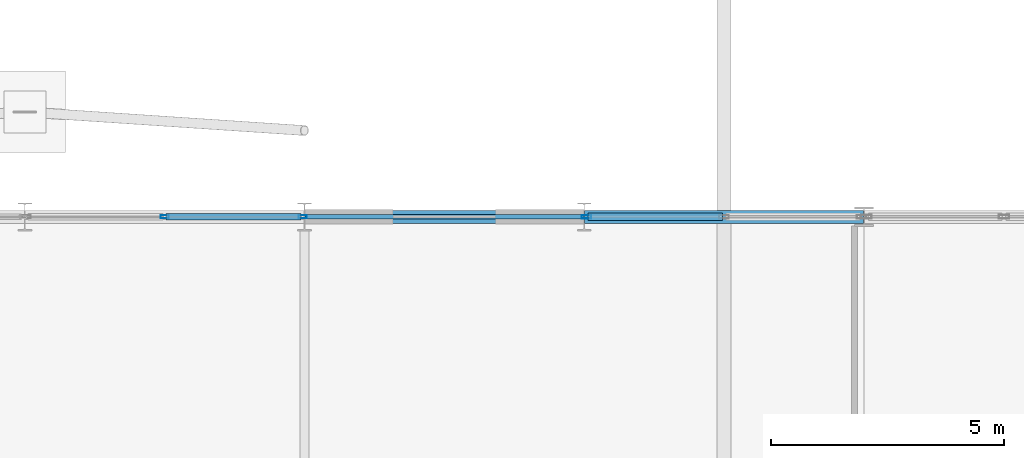
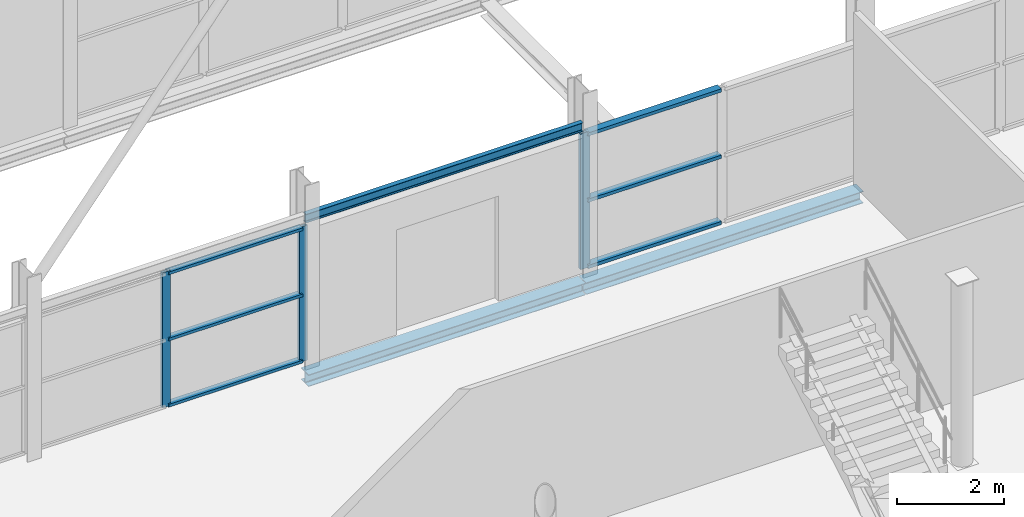
# One storey, part 42 of 140: 9 members, 3 beams, 2 elements without a shape of their own.
"""IFC4 building model written with IfcOpenShell, lengths in metres."""

from ifc_helpers import new_model, si_unit, direction, frame, origin, origin_2d, place, context, subcontext, project, spatial, hollow_rectangle, i_section, extrude, material, layer, layer_set, material_profile, profile_set, type_object, element, aggregate, save


model = new_model("IFC4")

# Units and contexts
model_context = context("Model", 3, precision=1e-05, world=origin(), true_north=direction((0.0, 1.0)))
body_context = subcontext(model_context, "Body", "Model", "MODEL_VIEW")
ifc_project = project(units=[si_unit("LENGTHUNIT", "METRE"), si_unit("AREAUNIT", "SQUARE_METRE"), si_unit("VOLUMEUNIT", "CUBIC_METRE"), si_unit("PLANEANGLEUNIT", "RADIAN"), si_unit("MASSUNIT", "GRAM", prefix="KILO")], contexts=[model_context])

# Site, building, storey
site_placement = place(None, origin())
site = spatial("IfcSite", under=ifc_project, at=site_placement, CompositionType="ELEMENT")
building_placement = place(site_placement, origin())
building = spatial("IfcBuilding", under=site, at=building_placement, Name="Deido Ridge Mobility Hub", CompositionType="ELEMENT")
storey_placement = place(building_placement, origin())
storey = spatial("IfcBuildingStorey", under=building, at=storey_placement, Name="L00", CompositionType="ELEMENT", Elevation=0.0)

# Beam
ifc_material_1 = material(Name="Steel S355J2 EN 10025-2", Category="steel")
ifc_material_profile_1 = material_profile(ifc_material_1, i_section(OverallWidth=0.10009765625, OverallDepth=0.199951171875, WebThickness=0.005615234375, FlangeThickness=0.008544921875, FilletRadius=0.011962890625, at=origin_2d()), Name="IPE 200")
ifc_profile_set_1 = profile_set([ifc_material_profile_1], Name="Steel S355J2 EN 10025-2")
beam_type_1 = type_object("IfcBeamType", Name="LNT-IPE200", PredefinedType="LINTEL", material=ifc_profile_set_1)
beam_1_placement = place(storey_placement, frame((18.0078125, 36.0, 3.25), z_axis=(1.0, 0.0, 0.0), x_axis=(0.0, 1.0, 0.0)))
element("IfcBeam", 1, at=beam_1_placement, inside=storey, type_object=beam_type_1, Name="Opening lintel LN2", PredefinedType="LINTEL", context=body_context, shape_type="SweptSolid", body=[
    extrude(i_section(OverallWidth=0.10009765625, OverallDepth=0.199951171875, WebThickness=0.005615234375, FlangeThickness=0.008544921875, FilletRadius=0.011962890625, at=origin_2d()), origin(), (0.0, 0.0, 1.0), 5.984375),
])

# Curtain wall, members
ifc_material_2 = material(Name="Anodised aluminium EN AW-6063 T6", Category="aluminium")
ifc_layer_1 = layer(ifc_material_2, 0.156005859375, Name="Anodised aluminium EN AW-6063 T6")
ifc_layer_set_1 = layer_set([ifc_layer_1], Name="Anodised aluminium EN AW-6063 T6")
curtain_wall_type_1 = type_object("IfcCurtainWallType", Name="CW-GS-3", PredefinedType="USERDEFINED", material=ifc_layer_set_1)
curtain_wall_1_placement = place(storey_placement, origin())
curtain_wall_1 = element("IfcCurtainWall", 2, at=curtain_wall_1_placement, inside=storey, type_object=curtain_wall_type_1, Name="Unitised curtain wall GS3", ObjectType="GLAZED SCREEN", PredefinedType="USERDEFINED")
ifc_material_profile_2 = material_profile(ifc_material_2, hollow_rectangle(XDim=0.06494140625, YDim=0.175048828125, WallThickness=0.00390625, at=origin_2d()), Name="RHS 65x175x4")
ifc_profile_set_2 = profile_set([ifc_material_profile_2], Name="Anodised aluminium EN AW-6063 T6")
member_type_1 = type_object("IfcMemberType", Name="MEM-MUL-65X175", PredefinedType="MULLION", material=ifc_profile_set_2)
member_1_placement = place(storey_placement, frame((15.0, 36.0, 0.0), z_axis=(0.0, 0.0, 1.0), x_axis=(0.0, 1.0, 0.0)))
member_1 = element("IfcMember", 3, at=member_1_placement, type_object=member_type_1, Name="GS3 mullion 2", PredefinedType="MULLION", context=body_context, shape_type="SweptSolid", body=[
    extrude(hollow_rectangle(XDim=0.06494140625, YDim=0.175048828125, WallThickness=0.00390625, at=origin_2d()), origin(), (0.0, 0.0, 1.0), 3.0849609375),
])
member_2_placement = place(storey_placement, frame((17.959716796875, 36.0, 0.0), z_axis=(0.0, 0.0, 1.0), x_axis=(0.0, 1.0, 0.0)))
member_2 = element("IfcMember", 4, at=member_2_placement, type_object=member_type_1, Name="GS3 mullion 3", PredefinedType="MULLION", context=body_context, shape_type="SweptSolid", body=[
    extrude(hollow_rectangle(XDim=0.06494140625, YDim=0.175048828125, WallThickness=0.00390625, at=origin_2d()), origin(), (0.0, 0.0, 1.0), 3.0849609375),
])

# Curtain wall, member
ifc_layer_2 = layer(ifc_material_2, 0.132080078125, Name="Anodised aluminium EN AW-6063 T6")
ifc_layer_set_2 = layer_set([ifc_layer_2], Name="Anodised aluminium EN AW-6063 T6")
curtain_wall_type_2 = type_object("IfcCurtainWallType", Name="CW-GS-1", PredefinedType="USERDEFINED", material=ifc_layer_set_2)
curtain_wall_2_placement = place(storey_placement, origin())
curtain_wall_2 = element("IfcCurtainWall", 5, at=curtain_wall_2_placement, inside=storey, type_object=curtain_wall_type_2, Name="Unitised curtain wall GS1", ObjectType="GLAZED SCREEN", PredefinedType="USERDEFINED")
ifc_material_profile_3 = material_profile(ifc_material_2, hollow_rectangle(XDim=0.074951171875, YDim=0.205078125, WallThickness=0.00390625, at=origin_2d()), Name="RHS 75x205x4")
ifc_profile_set_3 = profile_set([ifc_material_profile_3], Name="Anodised aluminium EN AW-6063 T6")
member_type_2 = type_object("IfcMemberType", Name="MEM-MUL-75X205", PredefinedType="MULLION", material=ifc_profile_set_3)
member_3_placement = place(storey_placement, frame((24.04541015625, 36.0, 0.0), z_axis=(0.0, 0.0, 1.0), x_axis=(0.0, 1.0, 0.0)))
member_3 = element("IfcMember", 6, at=member_3_placement, type_object=member_type_2, Name="GS1 mullion 1", PredefinedType="MULLION", context=body_context, shape_type="SweptSolid", body=[
    extrude(hollow_rectangle(XDim=0.074951171875, YDim=0.205078125, WallThickness=0.00390625, at=origin_2d()), origin(), (0.0, 0.0, 1.0), 3.10009765625),
])

# Member
ifc_material_profile_4 = material_profile(ifc_material_2, hollow_rectangle(XDim=0.135009765625, YDim=0.06494140625, WallThickness=0.00390625, at=origin_2d()), Name="RHS 135x65x4")
ifc_profile_set_4 = profile_set([ifc_material_profile_4], Name="Anodised aluminium EN AW-6063 T6")
member_type_3 = type_object("IfcMemberType", Name="MEM-TRN-135X65", PredefinedType="USERDEFINED", material=ifc_profile_set_4)
member_4_placement = place(storey_placement, frame((15.032470703125, 36.0, 0.032470703125), z_axis=(1.0, 0.0, 0.0), x_axis=(0.0, 1.0, 0.0)))
member_4 = element("IfcMember", 7, at=member_4_placement, type_object=member_type_3, Name="GS3 transom 2.1", ObjectType="TRANSOM", PredefinedType="USERDEFINED", context=body_context, shape_type="SweptSolid", body=[
    extrude(hollow_rectangle(XDim=0.135009765625, YDim=0.06494140625, WallThickness=0.00390625, at=origin_2d()), origin(), (0.0, 0.0, 1.0), 2.894775390625),
])

member_5_placement = place(storey_placement, frame((15.032470703125, 36.0, 1.54248046875), z_axis=(1.0, 0.0, 0.0), x_axis=(0.0, 1.0, 0.0)))
member_5 = element("IfcMember", 8, at=member_5_placement, type_object=member_type_3, Name="GS3 transom 2.2", ObjectType="TRANSOM", PredefinedType="USERDEFINED", context=body_context, shape_type="SweptSolid", body=[
    extrude(hollow_rectangle(XDim=0.135009765625, YDim=0.06494140625, WallThickness=0.00390625, at=origin_2d()), origin(), (0.0, 0.0, 1.0), 2.894775390625),
])

member_6_placement = place(storey_placement, frame((15.032470703125, 36.0, 3.052490234375), z_axis=(1.0, 0.0, 0.0), x_axis=(0.0, 1.0, 0.0)))
member_6 = element("IfcMember", 9, at=member_6_placement, type_object=member_type_3, Name="GS3 transom 2.3", ObjectType="TRANSOM", PredefinedType="USERDEFINED", context=body_context, shape_type="SweptSolid", body=[
    extrude(hollow_rectangle(XDim=0.135009765625, YDim=0.06494140625, WallThickness=0.00390625, at=origin_2d()), origin(), (0.0, 0.0, 1.0), 2.894775390625),
])

aggregate(curtain_wall_1, [member_1, member_2, member_4, member_5, member_6])

ifc_material_profile_5 = material_profile(ifc_material_2, hollow_rectangle(XDim=0.155029296875, YDim=0.074951171875, WallThickness=0.00390625, at=origin_2d()), Name="RHS 155x75x4")
ifc_profile_set_5 = profile_set([ifc_material_profile_5], Name="Anodised aluminium EN AW-6063 T6")
member_type_4 = type_object("IfcMemberType", Name="MEM-TRN-155X75", PredefinedType="USERDEFINED", material=ifc_profile_set_5)
member_7_placement = place(storey_placement, frame((24.082763671875, 36.0, 0.03759765625), z_axis=(1.0, 0.0, 0.0), x_axis=(0.0, 1.0, 0.0)))
member_7 = element("IfcMember", 10, at=member_7_placement, type_object=member_type_4, Name="GS1 transom 1.1", ObjectType="TRANSOM", PredefinedType="USERDEFINED", context=body_context, shape_type="SweptSolid", body=[
    extrude(hollow_rectangle(XDim=0.155029296875, YDim=0.074951171875, WallThickness=0.00390625, at=origin_2d()), origin(), (0.0, 0.0, 1.0), 2.877685546875),
])

member_8_placement = place(storey_placement, frame((24.082763671875, 36.0, 1.550048828125), z_axis=(1.0, 0.0, 0.0), x_axis=(0.0, 1.0, 0.0)))
member_8 = element("IfcMember", 11, at=member_8_placement, type_object=member_type_4, Name="GS1 transom 1.2", ObjectType="TRANSOM", PredefinedType="USERDEFINED", context=body_context, shape_type="SweptSolid", body=[
    extrude(hollow_rectangle(XDim=0.155029296875, YDim=0.074951171875, WallThickness=0.00390625, at=origin_2d()), origin(), (0.0, 0.0, 1.0), 2.877685546875),
])

member_9_placement = place(storey_placement, frame((24.082763671875, 36.0, 3.0625), z_axis=(1.0, 0.0, 0.0), x_axis=(0.0, 1.0, 0.0)))
member_9 = element("IfcMember", 12, at=member_9_placement, type_object=member_type_4, Name="GS1 transom 1.3", ObjectType="TRANSOM", PredefinedType="USERDEFINED", context=body_context, shape_type="SweptSolid", body=[
    extrude(hollow_rectangle(XDim=0.155029296875, YDim=0.074951171875, WallThickness=0.00390625, at=origin_2d()), origin(), (0.0, 0.0, 1.0), 2.877685546875),
])

aggregate(curtain_wall_2, [member_3, member_7, member_8, member_9])

# Beams
ifc_material_profile_6 = material_profile(ifc_material_1, i_section(OverallWidth=0.280029296875, OverallDepth=0.27001953125, WebThickness=0.008056640625, FlangeThickness=0.012939453125, FilletRadius=0.02392578125, at=origin_2d()), Name="HEA 280")
ifc_profile_set_6 = profile_set([ifc_material_profile_6], Name="Steel S355J2 EN 10025-2")
beam_type_2 = type_object("IfcBeamType", Name="SPD-HEA280", PredefinedType="SPANDREL", material=ifc_profile_set_6)
beam_2_placement = place(storey_placement, frame((18.0078125, 36.0, -0.39501953125), z_axis=(1.0, 0.0, 0.0), x_axis=(0.0, 1.0, 0.0)))
element("IfcBeam", 13, at=beam_2_placement, inside=storey, type_object=beam_type_2, Name="Floor beam SP2", PredefinedType="SPANDREL", context=body_context, shape_type="SweptSolid", body=[
    extrude(i_section(OverallWidth=0.280029296875, OverallDepth=0.27001953125, WebThickness=0.008056640625, FlangeThickness=0.012939453125, FilletRadius=0.02392578125, at=origin_2d()), origin(), (0.0, 0.0, 1.0), 5.984375),
])
beam_3_placement = place(storey_placement, frame((24.0078125, 36.0, -0.39501953125), z_axis=(1.0, 0.0, 0.0), x_axis=(0.0, 1.0, 0.0)))
element("IfcBeam", 14, at=beam_3_placement, inside=storey, type_object=beam_type_2, Name="Floor beam SP2", PredefinedType="SPANDREL", context=body_context, shape_type="SweptSolid", body=[
    extrude(i_section(OverallWidth=0.280029296875, OverallDepth=0.27001953125, WebThickness=0.008056640625, FlangeThickness=0.012939453125, FilletRadius=0.02392578125, at=origin_2d()), origin(), (0.0, 0.0, 1.0), 5.980224609375),
])

save(model, "model.ifc")
